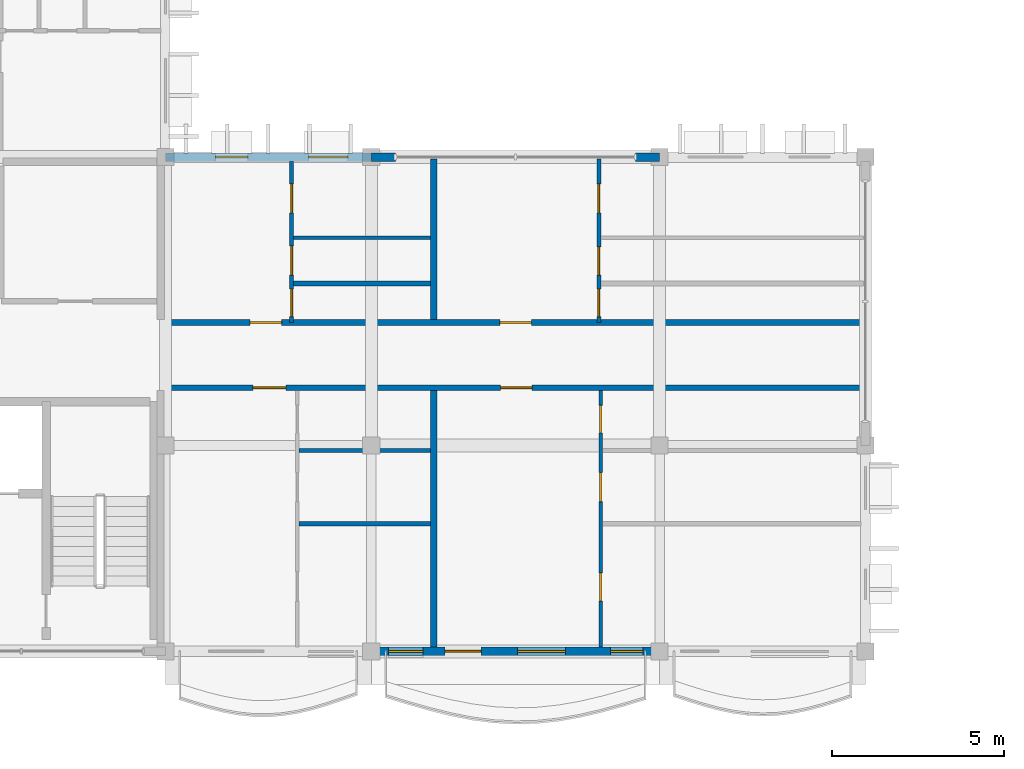
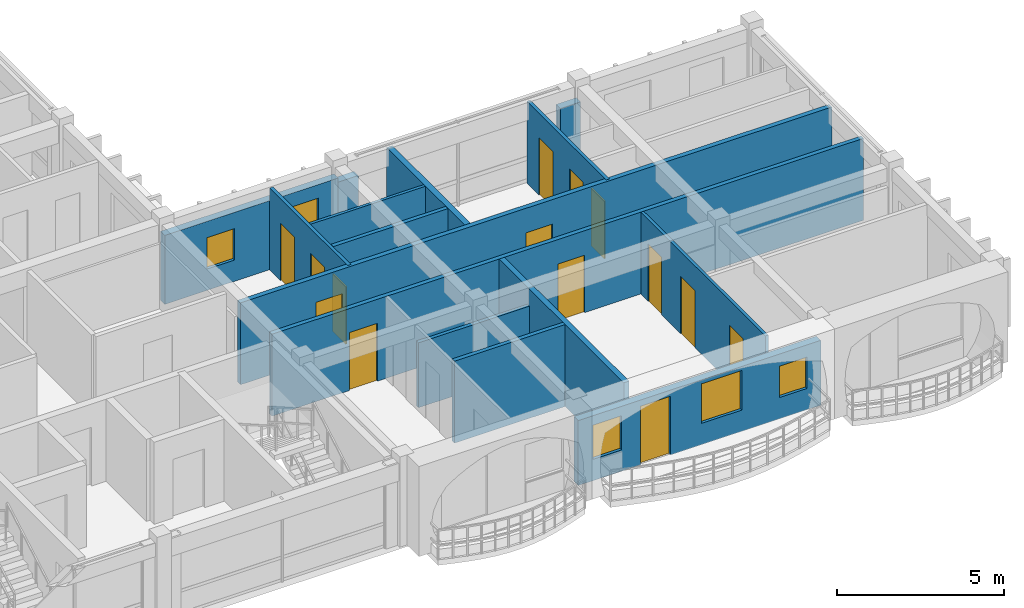
# One storey, part 21 of 54: 15 walls, 14 doors, 5 windows, 19 openings.
"""IFC4 building model written with IfcOpenShell, lengths in metres."""

from ifc_helpers import new_model, si_unit, direction, frame, frame_2d, origin, place, context, subcontext, project, spatial, rectangle, extrude, material, layer, layer_set, type_object, element, fill, save


model = new_model("IFC4")

# Units and contexts
model_context = context("Model", 3, precision=1e-05, world=origin(), true_north=direction((0.0, 1.0)))
body_context = subcontext(model_context, "Body", "Model", "MODEL_VIEW")
ifc_project = project(units=[si_unit("LENGTHUNIT", "METRE"), si_unit("AREAUNIT", "SQUARE_METRE"), si_unit("VOLUMEUNIT", "CUBIC_METRE"), si_unit("PLANEANGLEUNIT", "RADIAN"), si_unit("MASSUNIT", "GRAM", prefix="KILO"), si_unit("THERMODYNAMICTEMPERATUREUNIT", "KELVIN")], contexts=[model_context])

# Site, building, storey
site_placement = place(None, origin())
site = spatial("IfcSite", under=ifc_project, at=site_placement, CompositionType="ELEMENT")
building_placement = place(site_placement, origin())
building = spatial("IfcBuilding", under=site, at=building_placement, Name="Thalorik Housing Commons", CompositionType="ELEMENT")
storey_placement = place(building_placement, frame((0.0, 0.0, 31.199951171875)))
storey = spatial("IfcBuildingStorey", under=building, at=storey_placement, Name="L09", CompositionType="ELEMENT", Elevation=31.199951171875)

# Wall, openings, doors
ifc_material_1 = material(Name="Masonry fire-rated corridor wall", Category="masonry")
ifc_layer_1 = layer(ifc_material_1, 0.14990234375, Name="Masonry fire-rated corridor wall", Category="masonry")
ifc_layer_set_1 = layer_set([ifc_layer_1], Name="Masonry fire-rated corridor wall")
wall_type_1 = type_object("IfcWallType", Name="ARC-WAL-CORR-150", PredefinedType="PARTITIONING", material=ifc_layer_set_1)
wall_1_placement = place(storey_placement, frame((22.659912109375, 16.080078125, 0.0), z_axis=(0.0, 0.0, 1.0), x_axis=(1.0, 0.0, 0.0)))
wall_1 = element("IfcWall", 1, at=wall_1_placement, inside=storey, type_object=wall_type_1, Name="L09 Block C S Corridor Wall 1", PredefinedType="PARTITIONING", context=body_context, shape_type="SweptSolid", body=[
    extrude(rectangle(XDim=20.47998046875, YDim=0.14990234375, at=frame_2d((10.239990234375, 0.0))), origin(), (0.0, 0.0, 1.0), 3.0),
])
opening_1_placement = place(wall_1_placement, frame((2.69140625, 0.0, 0.0)))
opening_1 = element("IfcOpeningElement", 2, at=opening_1_placement, cuts=wall_1, Name="Opening ID-1950", PredefinedType="OPENING", context=body_context, shape_type="SweptSolid", body=[
    extrude(rectangle(XDim=0.9599609375, YDim=2.1201171875, at=frame_2d((0.47998046875, 1.06005859375))), frame((0.0, 0.0849609375, 0.0), z_axis=(0.0, -1.0, 0.0), x_axis=(1.0, 0.0, 0.0)), (0.0, 0.0, 1.0), 0.169921875),
])
opening_2_placement = place(wall_1_placement, frame((9.909912109375, 0.0, 0.0)))
opening_2 = element("IfcOpeningElement", 3, at=opening_2_placement, cuts=wall_1, Name="Opening ID-1951", PredefinedType="OPENING", context=body_context, shape_type="SweptSolid", body=[
    extrude(rectangle(XDim=0.919921875, YDim=2.10009765625, at=frame_2d((0.4599609375, 1.050048828125))), frame((0.0, 0.0849609375, 0.0), z_axis=(0.0, -1.0, 0.0), x_axis=(1.0, 0.0, 0.0)), (0.0, 0.0, 1.0), 0.169921875),
])
ifc_material_2 = material(Name="Solid core hardwood timber", Category="wood")
door_type_1 = type_object("IfcDoorType", Name="ARC-DR-FD30-920", OperationType="NOTDEFINED", PredefinedType="DOOR", material=ifc_material_2)
door_1_placement = place(opening_2_placement, origin())
door_1 = element("IfcDoor", 4, at=door_1_placement, inside=storey, type_object=door_type_1, Name="L09 Flat CS-2A Entrance Door", OperationType="SINGLE_SWING_RIGHT", OverallHeight=2.10009765625, OverallWidth=0.919921875, PredefinedType="DOOR", context=body_context, shape_type="SweptSolid", body=[
    extrude(rectangle(XDim=0.919921875, YDim=2.10009765625, at=frame_2d((0.4599609375, 1.050048828125))), frame((0.0, 0.02490234375, 0.0), z_axis=(0.0, -1.0, 0.0), x_axis=(1.0, 0.0, 0.0)), (0.0, 0.0, 1.0), 0.050048828125),
])
fill(opening_2, door_1)
door_type_2 = type_object("IfcDoorType", Name="ARC-DR-FD30-960", OperationType="NOTDEFINED", PredefinedType="DOOR", material=ifc_material_2)
door_2_placement = place(opening_1_placement, origin())
door_2 = element("IfcDoor", 5, at=door_2_placement, inside=storey, type_object=door_type_2, Name="L09 Flat CS-1A Entrance Door", OperationType="SINGLE_SWING_LEFT", OverallHeight=2.1201171875, OverallWidth=0.9599609375, PredefinedType="DOOR", context=body_context, shape_type="SweptSolid", body=[
    extrude(rectangle(XDim=0.9599609375, YDim=2.1201171875, at=frame_2d((0.47998046875, 1.06005859375))), frame((0.0, 0.02490234375, 0.0), z_axis=(0.0, -1.0, 0.0), x_axis=(1.0, 0.0, 0.0)), (0.0, 0.0, 1.0), 0.050048828125),
])
fill(opening_1, door_2)

ifc_layer_2 = layer(ifc_material_1, 0.1650390625, Name="Masonry fire-rated corridor wall", Category="masonry")
ifc_layer_set_2 = layer_set([ifc_layer_2], Name="Masonry fire-rated corridor wall")
wall_type_2 = type_object("IfcWallType", Name="ARC-WAL-CORR-165", PredefinedType="PARTITIONING", material=ifc_layer_set_2)
wall_2_placement = place(storey_placement, frame((22.659912109375, 17.97998046875, 0.0), z_axis=(0.0, 0.0, 1.0), x_axis=(1.0, 0.0, 0.0)))
wall_2 = element("IfcWall", 6, at=wall_2_placement, inside=storey, type_object=wall_type_2, Name="L09 Block C S Corridor Wall 2", PredefinedType="PARTITIONING", context=body_context, shape_type="SweptSolid", body=[
    extrude(rectangle(XDim=20.47998046875, YDim=0.1650390625, at=frame_2d((10.239990234375, 0.0))), origin(), (0.0, 0.0, 1.0), 3.0),
])
opening_3_placement = place(wall_2_placement, frame((2.61083984375, 0.0, 0.0)))
opening_3 = element("IfcOpeningElement", 7, at=opening_3_placement, cuts=wall_2, Name="Opening ID-1952", PredefinedType="OPENING", context=body_context, shape_type="SweptSolid", body=[
    extrude(rectangle(XDim=0.919921875, YDim=2.10009765625, at=frame_2d((0.4599609375, 1.050048828125))), frame((0.0, 0.092529296875, 0.0), z_axis=(0.0, -1.0, 0.0), x_axis=(1.0, 0.0, 0.0)), (0.0, 0.0, 1.0), 0.18505859375),
])
opening_4_placement = place(wall_2_placement, frame((9.884765625, 0.0, 0.0)))
opening_4 = element("IfcOpeningElement", 8, at=opening_4_placement, cuts=wall_2, Name="Opening ID-1953", PredefinedType="OPENING", context=body_context, shape_type="SweptSolid", body=[
    extrude(rectangle(XDim=0.919921875, YDim=2.10009765625, at=frame_2d((0.4599609375, 1.050048828125))), frame((0.0, 0.092529296875, 0.0), z_axis=(0.0, -1.0, 0.0), x_axis=(1.0, 0.0, 0.0)), (0.0, 0.0, 1.0), 0.18505859375),
])
door_3_placement = place(opening_3_placement, origin())
door_3 = element("IfcDoor", 9, at=door_3_placement, inside=storey, type_object=door_type_1, Name="L09 Flat CS-1B Entrance Door", OperationType="SINGLE_SWING_LEFT", OverallHeight=2.10009765625, OverallWidth=0.919921875, PredefinedType="DOOR", context=body_context, shape_type="SweptSolid", body=[
    extrude(rectangle(XDim=0.919921875, YDim=2.10009765625, at=frame_2d((0.4599609375, 1.050048828125))), frame((0.0, 0.02490234375, 0.0), z_axis=(0.0, -1.0, 0.0), x_axis=(1.0, 0.0, 0.0)), (0.0, 0.0, 1.0), 0.050048828125),
])
fill(opening_3, door_3)
door_4_placement = place(opening_4_placement, origin())
door_4 = element("IfcDoor", 10, at=door_4_placement, inside=storey, type_object=door_type_1, Name="L09 Flat CS-2B Entrance Door", OperationType="SINGLE_SWING_RIGHT", OverallHeight=2.10009765625, OverallWidth=0.919921875, PredefinedType="DOOR", context=body_context, shape_type="SweptSolid", body=[
    extrude(rectangle(XDim=0.919921875, YDim=2.10009765625, at=frame_2d((0.4599609375, 1.050048828125))), frame((0.0, 0.02490234375, 0.0), z_axis=(0.0, -1.0, 0.0), x_axis=(1.0, 0.0, 0.0)), (0.0, 0.0, 1.0), 0.050048828125),
])
fill(opening_4, door_4)

# Wall, openings, door, windows
ifc_material_3 = material(Name="White precast concrete C40/50", Category="concrete")
ifc_layer_3 = layer(ifc_material_3, 0.2548828125, Name="White precast concrete C40/50", Category="concrete")
ifc_layer_set_3 = layer_set([ifc_layer_3], Name="White precast concrete C40/50")
wall_type_3 = type_object("IfcWallType", Name="ARC-WAL-EXT-255", PredefinedType="STANDARD", material=ifc_layer_set_3)
wall_3_placement = place(storey_placement, frame((28.800048828125, 8.39990234375, 0.0), z_axis=(0.0, 0.0, 1.0), x_axis=(1.0, 0.0, 0.0)))
wall_3 = element("IfcWall", 11, at=wall_3_placement, inside=storey, type_object=wall_type_3, Name="L09 Exterior Wall WAL-EXT-L09-C-1078", PredefinedType="STANDARD", context=body_context, shape_type="SweptSolid", body=[
    extrude(rectangle(XDim=8.39990234375, YDim=0.2548828125, at=frame_2d((4.199951171875, 0.0))), origin(), (0.0, 0.0, 1.0), 2.375),
])
opening_5_placement = place(wall_3_placement, frame((2.14990234375, 0.0, 0.0)))
opening_5 = element("IfcOpeningElement", 12, at=opening_5_placement, cuts=wall_3, Name="Opening ED-0362", PredefinedType="OPENING", context=body_context, shape_type="SweptSolid", body=[
    extrude(rectangle(XDim=1.050048828125, YDim=2.14990234375, at=frame_2d((0.52490234375, 1.074951171875))), frame((0.0, 0.137451171875, 0.0), z_axis=(0.0, -1.0, 0.0), x_axis=(1.0, 0.0, 0.0)), (0.0, 0.0, 1.0), 0.27490234375),
])
opening_6_placement = place(wall_3_placement, frame((0.5048828125, 0.0, 0.780029296875)))
opening_6 = element("IfcOpeningElement", 13, at=opening_6_placement, cuts=wall_3, Name="Opening W-02", PredefinedType="OPENING", context=body_context, shape_type="SweptSolid", body=[
    extrude(rectangle(XDim=1.0, YDim=1.25, at=frame_2d((0.5, 0.625))), frame((0.0, 0.137451171875, 0.0), z_axis=(0.0, -1.0, 0.0), x_axis=(1.0, 0.0, 0.0)), (0.0, 0.0, 1.0), 0.27490234375),
])
opening_7_placement = place(wall_3_placement, frame((4.264892578125, 0.0, 0.780029296875)))
opening_7 = element("IfcOpeningElement", 14, at=opening_7_placement, cuts=wall_3, Name="Opening W-08", PredefinedType="OPENING", context=body_context, shape_type="SweptSolid", body=[
    extrude(rectangle(XDim=1.39990234375, YDim=1.449951171875, at=frame_2d((0.699951171875, 0.72509765625))), frame((0.0, 0.137451171875, 0.0), z_axis=(0.0, -1.0, 0.0), x_axis=(1.0, 0.0, 0.0)), (0.0, 0.0, 1.0), 0.27490234375),
])
opening_8_placement = place(wall_3_placement, frame((6.969970703125, 0.0, 0.780029296875)))
opening_8 = element("IfcOpeningElement", 15, at=opening_8_placement, cuts=wall_3, Name="Opening W-43", PredefinedType="OPENING", context=body_context, shape_type="SweptSolid", body=[
    extrude(rectangle(XDim=0.949951171875, YDim=1.14990234375, at=frame_2d((0.47509765625, 0.574951171875))), frame((0.0, 0.137451171875, 0.0), z_axis=(0.0, -1.0, 0.0), x_axis=(1.0, 0.0, 0.0)), (0.0, 0.0, 1.0), 0.27490234375),
])
ifc_material_4 = material(Name="Anodised aluminium and laminated safety glass", Category="aluminium")
door_type_3 = type_object("IfcDoorType", Name="ARC-DR-BAL-1050", OperationType="NOTDEFINED", PredefinedType="DOOR", material=ifc_material_4)
door_5_placement = place(opening_5_placement, frame((1.050048828125, 0.0, 0.0), z_axis=(0.0, 0.0, 1.0), x_axis=(-1.0, 0.0, 0.0)))
door_5 = element("IfcDoor", 16, at=door_5_placement, inside=storey, type_object=door_type_3, Name="L09 Block C Balcony Glazed Door", OperationType="SINGLE_SWING_LEFT", OverallHeight=2.14990234375, OverallWidth=1.050048828125, PredefinedType="DOOR", context=body_context, shape_type="SweptSolid", body=[
    extrude(rectangle(XDim=1.050048828125, YDim=2.14990234375, at=frame_2d((0.52490234375, 1.074951171875))), frame((0.0, 0.02490234375, 0.0), z_axis=(0.0, -1.0, 0.0), x_axis=(1.0, 0.0, 0.0)), (0.0, 0.0, 1.0), 0.050048828125),
])
fill(opening_5, door_5)
ifc_material_5 = material(Name="Anodised aluminium and solar-control low-E glass", Category="aluminium")
window_type_1 = type_object("IfcWindowType", Name="ARC-WIN-02", PartitioningType="SINGLE_PANEL", PredefinedType="WINDOW", material=ifc_material_5)
window_1_placement = place(opening_6_placement, origin())
window_1 = element("IfcWindow", 17, at=window_1_placement, inside=storey, type_object=window_type_1, Name="L09 Facade Window 1986", OverallHeight=1.25, OverallWidth=1.0, PartitioningType="SINGLE_PANEL", PredefinedType="WINDOW", context=body_context, shape_type="SweptSolid", body=[
    extrude(rectangle(XDim=1.0, YDim=1.25, at=frame_2d((0.5, 0.625))), frame((0.0, 0.030029296875, 0.0), z_axis=(0.0, -1.0, 0.0), x_axis=(1.0, 0.0, 0.0)), (0.0, 0.0, 1.0), 0.06005859375),
])
fill(opening_6, window_1)
window_type_2 = type_object("IfcWindowType", Name="ARC-WIN-08", PartitioningType="SINGLE_PANEL", PredefinedType="WINDOW", material=ifc_material_5)
window_2_placement = place(opening_7_placement, origin())
window_2 = element("IfcWindow", 18, at=window_2_placement, inside=storey, type_object=window_type_2, Name="L09 Facade Window 1987", OverallHeight=1.449951171875, OverallWidth=1.39990234375, PartitioningType="SINGLE_PANEL", PredefinedType="WINDOW", context=body_context, shape_type="SweptSolid", body=[
    extrude(rectangle(XDim=1.39990234375, YDim=1.449951171875, at=frame_2d((0.699951171875, 0.72509765625))), frame((0.0, 0.030029296875, 0.0), z_axis=(0.0, -1.0, 0.0), x_axis=(1.0, 0.0, 0.0)), (0.0, 0.0, 1.0), 0.06005859375),
])
fill(opening_7, window_2)
window_type_3 = type_object("IfcWindowType", Name="ARC-WIN-43", PartitioningType="SINGLE_PANEL", PredefinedType="WINDOW", material=ifc_material_5)
window_3_placement = place(opening_8_placement, origin())
window_3 = element("IfcWindow", 19, at=window_3_placement, inside=storey, type_object=window_type_3, Name="L09 Facade Window 1988", OverallHeight=1.14990234375, OverallWidth=0.949951171875, PartitioningType="SINGLE_PANEL", PredefinedType="WINDOW", context=body_context, shape_type="SweptSolid", body=[
    extrude(rectangle(XDim=0.949951171875, YDim=1.14990234375, at=frame_2d((0.47509765625, 0.574951171875))), frame((0.0, 0.030029296875, 0.0), z_axis=(0.0, -1.0, 0.0), x_axis=(1.0, 0.0, 0.0)), (0.0, 0.0, 1.0), 0.06005859375),
])
fill(opening_8, window_3)

# Walls
for number, where, z_axis, x_axis, name in (
    (20, (37.199951171875, 22.800048828125, 0.0), (0.0, 0.0, 1.0), (-1.0, 0.0, 0.0), "L09 Exterior Wall WAL-PIERL-L09-C-1083"),
    (21, (29.5, 22.800048828125, 0.0), (0.0, 0.0, 1.0), (-1.0, 0.0, 0.0), "L09 Exterior Wall WAL-PIERR-L09-C-1083"),
):
    element("IfcWall", number, at=place(storey_placement, frame(where, z_axis=z_axis, x_axis=x_axis)), inside=storey, type_object=wall_type_3, Name=name, PredefinedType="STANDARD", context=body_context, shape_type="SweptSolid", body=[
        extrude(rectangle(XDim=0.699951171875, YDim=0.2548828125, at=frame_2d((0.35009765625, 0.0))), origin(), (0.0, 0.0, 1.0), 2.375),
    ])

# Wall, openings, windows
wall_4_placement = place(storey_placement, frame((28.800048828125, 22.800048828125, 0.0), z_axis=(0.0, 0.0, 1.0), x_axis=(-1.0, 0.0, 0.0)))
wall_4 = element("IfcWall", 22, at=wall_4_placement, inside=storey, type_object=wall_type_3, Name="L09 Exterior Wall WAL-EXT-L09-C-1084", PredefinedType="STANDARD", context=body_context, shape_type="SweptSolid", body=[
    extrude(rectangle(XDim=6.0, YDim=0.2548828125, at=frame_2d((3.0, 0.0))), origin(), (0.0, 0.0, 1.0), 2.525146484375),
])
opening_9_placement = place(wall_4_placement, frame((0.6796875, 0.0, 0.780029296875)))
opening_9 = element("IfcOpeningElement", 23, at=opening_9_placement, cuts=wall_4, Name="Opening W-45", PredefinedType="OPENING", context=body_context, shape_type="SweptSolid", body=[
    extrude(rectangle(XDim=1.14990234375, YDim=1.25, at=frame_2d((0.574951171875, 0.625))), frame((0.0, 0.137451171875, 0.0), z_axis=(0.0, -1.0, 0.0), x_axis=(1.0, 0.0, 0.0)), (0.0, 0.0, 1.0), 0.27490234375),
])
opening_10_placement = place(wall_4_placement, frame((3.589599609375, 0.0, 0.780029296875)))
opening_10 = element("IfcOpeningElement", 24, at=opening_10_placement, cuts=wall_4, Name="Opening W-43", PredefinedType="OPENING", context=body_context, shape_type="SweptSolid", body=[
    extrude(rectangle(XDim=0.949951171875, YDim=1.14990234375, at=frame_2d((0.47509765625, 0.574951171875))), frame((0.0, 0.137451171875, 0.0), z_axis=(0.0, -1.0, 0.0), x_axis=(1.0, 0.0, 0.0)), (0.0, 0.0, 1.0), 0.27490234375),
])
window_4_placement = place(opening_10_placement, origin())
window_4 = element("IfcWindow", 25, at=window_4_placement, inside=storey, type_object=window_type_3, Name="L09 Facade Window 1995", OverallHeight=1.14990234375, OverallWidth=0.949951171875, PartitioningType="SINGLE_PANEL", PredefinedType="WINDOW", context=body_context, shape_type="SweptSolid", body=[
    extrude(rectangle(XDim=0.949951171875, YDim=1.14990234375, at=frame_2d((0.47509765625, 0.574951171875))), frame((0.0, 0.030029296875, 0.0), z_axis=(0.0, -1.0, 0.0), x_axis=(1.0, 0.0, 0.0)), (0.0, 0.0, 1.0), 0.06005859375),
])
fill(opening_10, window_4)
window_type_4 = type_object("IfcWindowType", Name="ARC-WIN-45", PartitioningType="SINGLE_PANEL", PredefinedType="WINDOW", material=ifc_material_5)
window_5_placement = place(opening_9_placement, origin())
window_5 = element("IfcWindow", 26, at=window_5_placement, inside=storey, type_object=window_type_4, Name="L09 Facade Window 1994", OverallHeight=1.25, OverallWidth=1.14990234375, PartitioningType="SINGLE_PANEL", PredefinedType="WINDOW", context=body_context, shape_type="SweptSolid", body=[
    extrude(rectangle(XDim=1.14990234375, YDim=1.25, at=frame_2d((0.574951171875, 0.625))), frame((0.0, 0.030029296875, 0.0), z_axis=(0.0, -1.0, 0.0), x_axis=(1.0, 0.0, 0.0)), (0.0, 0.0, 1.0), 0.06005859375),
])
fill(opening_9, window_5)

# Wall
ifc_material_6 = material(Name="Gypsum light stud partition", Category="masonry")
ifc_layer_4 = layer(ifc_material_6, 0.10009765625, Name="Gypsum light stud partition", Category="masonry")
ifc_layer_set_4 = layer_set([ifc_layer_4], Name="Gypsum light stud partition")
wall_type_4 = type_object("IfcWallType", Name="ARC-WAL-PART-100", PredefinedType="PARTITIONING", material=ifc_layer_set_4)
wall_5_placement = place(storey_placement, frame((26.540283203125, 20.455078125, 0.0), z_axis=(0.0, 0.0, 1.0), x_axis=(1.0, 0.0, 0.0)))
element("IfcWall", 27, at=wall_5_placement, inside=storey, type_object=wall_type_4, Name="L09 Unit 1B Bedroom Partition", PredefinedType="PARTITIONING", context=body_context, shape_type="SweptSolid", body=[
    extrude(rectangle(XDim=3.977783203125, YDim=0.10009765625, at=frame_2d((1.98876953125, 0.0))), origin(), (0.0, 0.0, 1.0), 3.0),
])

# Wall, openings, doors
wall_6_placement = place(storey_placement, frame((35.47998046875, 8.529541015625, 0.0), z_axis=(0.0, 0.0, 1.0), x_axis=(0.0, 1.0, 0.0)))
wall_6 = element("IfcWall", 28, at=wall_6_placement, inside=storey, type_object=wall_type_4, Name="L09 Unit 2 Spine Partition", PredefinedType="PARTITIONING", context=body_context, shape_type="SweptSolid", body=[
    extrude(rectangle(XDim=7.473388671875, YDim=0.10009765625, at=frame_2d((3.73681640625, 0.0))), origin(), (0.0, 0.0, 1.0), 3.0),
])
opening_11_placement = place(wall_6_placement, frame((1.334228515625, 0.0, 0.0)))
opening_11 = element("IfcOpeningElement", 29, at=opening_11_placement, cuts=wall_6, Name="Opening ID-1944", PredefinedType="OPENING", context=body_context, shape_type="SweptSolid", body=[
    extrude(rectangle(XDim=0.820068359375, YDim=2.080078125, at=frame_2d((0.41015625, 1.0400390625))), frame((0.0, 0.06005859375, 0.0), z_axis=(0.0, -1.0, 0.0), x_axis=(1.0, 0.0, 0.0)), (0.0, 0.0, 1.0), 0.1201171875),
])
opening_12_placement = place(wall_6_placement, frame((4.22998046875, 0.0, 0.0)))
opening_12 = element("IfcOpeningElement", 30, at=opening_12_placement, cuts=wall_6, Name="Opening ID-1945", PredefinedType="OPENING", context=body_context, shape_type="SweptSolid", body=[
    extrude(rectangle(XDim=0.85009765625, YDim=2.10009765625, at=frame_2d((0.425048828125, 1.050048828125))), frame((0.0, 0.06005859375, 0.0), z_axis=(0.0, -1.0, 0.0), x_axis=(1.0, 0.0, 0.0)), (0.0, 0.0, 1.0), 0.1201171875),
])
opening_13_placement = place(wall_6_placement, frame((6.236083984375, 0.0, 0.0)))
opening_13 = element("IfcOpeningElement", 31, at=opening_13_placement, cuts=wall_6, Name="Opening ID-1946", PredefinedType="OPENING", context=body_context, shape_type="SweptSolid", body=[
    extrude(rectangle(XDim=0.800048828125, YDim=2.10009765625, at=frame_2d((0.39990234375, 1.050048828125))), frame((0.0, 0.06005859375, 0.0), z_axis=(0.0, -1.0, 0.0), x_axis=(1.0, 0.0, 0.0)), (0.0, 0.0, 1.0), 0.1201171875),
])
ifc_material_7 = material(Name="Moisture-resistant timber", Category="wood")
door_type_4 = type_object("IfcDoorType", Name="ARC-DR-INT-800", OperationType="NOTDEFINED", PredefinedType="DOOR", material=ifc_material_7)
door_6_placement = place(opening_13_placement, origin())
door_6 = element("IfcDoor", 32, at=door_6_placement, inside=storey, type_object=door_type_4, Name="L09 Flat Bathroom Door", OperationType="SINGLE_SWING_LEFT", OverallHeight=2.10009765625, OverallWidth=0.800048828125, PredefinedType="DOOR", context=body_context, shape_type="SweptSolid", body=[
    extrude(rectangle(XDim=0.800048828125, YDim=2.10009765625, at=frame_2d((0.39990234375, 1.050048828125))), frame((0.0, 0.02490234375, 0.0), z_axis=(0.0, -1.0, 0.0), x_axis=(1.0, 0.0, 0.0)), (0.0, 0.0, 1.0), 0.050048828125),
])
fill(opening_13, door_6)
ifc_material_8 = material(Name="Engineered oak timber", Category="wood")
door_type_5 = type_object("IfcDoorType", Name="ARC-DR-INT-820", OperationType="NOTDEFINED", PredefinedType="DOOR", material=ifc_material_8)
door_7_placement = place(opening_11_placement, origin())
door_7 = element("IfcDoor", 33, at=door_7_placement, inside=storey, type_object=door_type_5, Name="L09 Double Bedroom Door", OperationType="SINGLE_SWING_LEFT", OverallHeight=2.080078125, OverallWidth=0.820068359375, PredefinedType="DOOR", context=body_context, shape_type="SweptSolid", body=[
    extrude(rectangle(XDim=0.820068359375, YDim=2.080078125, at=frame_2d((0.41015625, 1.0400390625))), frame((0.0, 0.02490234375, 0.0), z_axis=(0.0, -1.0, 0.0), x_axis=(1.0, 0.0, 0.0)), (0.0, 0.0, 1.0), 0.050048828125),
])
fill(opening_11, door_7)
door_type_6 = type_object("IfcDoorType", Name="ARC-DR-INT-850", OperationType="NOTDEFINED", PredefinedType="DOOR", material=ifc_material_8)
door_8_placement = place(opening_12_placement, origin())
door_8 = element("IfcDoor", 34, at=door_8_placement, inside=storey, type_object=door_type_6, Name="L09 Galley Kitchen Door", OperationType="SINGLE_SWING_RIGHT", OverallHeight=2.10009765625, OverallWidth=0.85009765625, PredefinedType="DOOR", context=body_context, shape_type="SweptSolid", body=[
    extrude(rectangle(XDim=0.85009765625, YDim=2.10009765625, at=frame_2d((0.425048828125, 1.050048828125))), frame((0.0, 0.02490234375, 0.0), z_axis=(0.0, -1.0, 0.0), x_axis=(1.0, 0.0, 0.0)), (0.0, 0.0, 1.0), 0.050048828125),
])
fill(opening_12, door_8)

ifc_material_9 = material(Name="Gypsum moisture-resistant partition", Category="masonry")
ifc_layer_5 = layer(ifc_material_9, 0.114990234375, Name="Gypsum moisture-resistant partition", Category="masonry")
ifc_layer_set_5 = layer_set([ifc_layer_5], Name="Gypsum moisture-resistant partition")
wall_type_5 = type_object("IfcWallType", Name="ARC-WAL-PART-115", PredefinedType="PARTITIONING", material=ifc_layer_set_5)
wall_7_placement = place(storey_placement, frame((26.480712890625, 17.97998046875, 0.0), z_axis=(0.0, 0.0, 1.0), x_axis=(0.0, 1.0, 0.0)))
wall_7 = element("IfcWall", 35, at=wall_7_placement, inside=storey, type_object=wall_type_5, Name="L09 Unit 1B Spine Partition", PredefinedType="PARTITIONING", context=body_context, shape_type="SweptSolid", body=[
    extrude(rectangle(XDim=4.6904296875, YDim=0.114990234375, at=frame_2d((2.34521484375, 0.0))), origin(), (0.0, 0.0, 1.0), 3.0),
])
opening_14_placement = place(wall_7_placement, frame((0.171142578125, 0.0, 0.0)))
opening_14 = element("IfcOpeningElement", 36, at=opening_14_placement, cuts=wall_7, Name="Opening ID-1941", PredefinedType="OPENING", context=body_context, shape_type="SweptSolid", body=[
    extrude(rectangle(XDim=0.800048828125, YDim=2.10009765625, at=frame_2d((0.39990234375, 1.050048828125))), frame((0.0, 0.0673828125, 0.0), z_axis=(0.0, -1.0, 0.0), x_axis=(1.0, 0.0, 0.0)), (0.0, 0.0, 1.0), 0.135009765625),
])
opening_15_placement = place(wall_7_placement, frame((1.3837890625, 0.0, 0.0)))
opening_15 = element("IfcOpeningElement", 37, at=opening_15_placement, cuts=wall_7, Name="Opening ID-1942", PredefinedType="OPENING", context=body_context, shape_type="SweptSolid", body=[
    extrude(rectangle(XDim=0.85009765625, YDim=2.10009765625, at=frame_2d((0.425048828125, 1.050048828125))), frame((0.0, 0.0673828125, 0.0), z_axis=(0.0, -1.0, 0.0), x_axis=(1.0, 0.0, 0.0)), (0.0, 0.0, 1.0), 0.135009765625),
])
opening_16_placement = place(wall_7_placement, frame((3.192626953125, 0.0, 0.0)))
opening_16 = element("IfcOpeningElement", 38, at=opening_16_placement, cuts=wall_7, Name="Opening ID-1943", PredefinedType="OPENING", context=body_context, shape_type="SweptSolid", body=[
    extrude(rectangle(XDim=0.85009765625, YDim=2.10009765625, at=frame_2d((0.425048828125, 1.050048828125))), frame((0.0, 0.0673828125, 0.0), z_axis=(0.0, -1.0, 0.0), x_axis=(1.0, 0.0, 0.0)), (0.0, 0.0, 1.0), 0.135009765625),
])
door_9_placement = place(opening_14_placement, origin())
door_9 = element("IfcDoor", 39, at=door_9_placement, inside=storey, type_object=door_type_4, Name="L09 Accessible Bathroom Door", OperationType="SINGLE_SWING_RIGHT", OverallHeight=2.10009765625, OverallWidth=0.800048828125, PredefinedType="DOOR", context=body_context, shape_type="SweptSolid", body=[
    extrude(rectangle(XDim=0.800048828125, YDim=2.10009765625, at=frame_2d((0.39990234375, 1.050048828125))), frame((0.0, 0.02490234375, 0.0), z_axis=(0.0, -1.0, 0.0), x_axis=(1.0, 0.0, 0.0)), (0.0, 0.0, 1.0), 0.050048828125),
])
fill(opening_14, door_9)
door_10_placement = place(opening_15_placement, origin())
door_10 = element("IfcDoor", 40, at=door_10_placement, inside=storey, type_object=door_type_6, Name="L09 Eat-In Kitchen Door", OperationType="SINGLE_SWING_LEFT", OverallHeight=2.10009765625, OverallWidth=0.85009765625, PredefinedType="DOOR", context=body_context, shape_type="SweptSolid", body=[
    extrude(rectangle(XDim=0.85009765625, YDim=2.10009765625, at=frame_2d((0.425048828125, 1.050048828125))), frame((0.0, 0.02490234375, 0.0), z_axis=(0.0, -1.0, 0.0), x_axis=(1.0, 0.0, 0.0)), (0.0, 0.0, 1.0), 0.050048828125),
])
fill(opening_15, door_10)
door_11_placement = place(opening_16_placement, origin())
door_11 = element("IfcDoor", 41, at=door_11_placement, inside=storey, type_object=door_type_6, Name="L09 Double Bedroom Door", OperationType="SINGLE_SWING_RIGHT", OverallHeight=2.10009765625, OverallWidth=0.85009765625, PredefinedType="DOOR", context=body_context, shape_type="SweptSolid", body=[
    extrude(rectangle(XDim=0.85009765625, YDim=2.10009765625, at=frame_2d((0.425048828125, 1.050048828125))), frame((0.0, 0.02490234375, 0.0), z_axis=(0.0, -1.0, 0.0), x_axis=(1.0, 0.0, 0.0)), (0.0, 0.0, 1.0), 0.050048828125),
])
fill(opening_16, door_11)

wall_8_placement = place(storey_placement, frame((35.4296875, 17.97998046875, 0.0), z_axis=(0.0, 0.0, 1.0), x_axis=(0.0, 1.0, 0.0)))
wall_8 = element("IfcWall", 42, at=wall_8_placement, inside=storey, type_object=wall_type_5, Name="L09 Unit 2B Spine Partition", PredefinedType="PARTITIONING", context=body_context, shape_type="SweptSolid", body=[
    extrude(rectangle(XDim=4.760009765625, YDim=0.114990234375, at=frame_2d((2.3798828125, 0.0))), origin(), (0.0, 0.0, 1.0), 3.0),
])
opening_17_placement = place(wall_8_placement, frame((0.171142578125, 0.0, 0.0)))
opening_17 = element("IfcOpeningElement", 43, at=opening_17_placement, cuts=wall_8, Name="Opening ID-1947", PredefinedType="OPENING", context=body_context, shape_type="SweptSolid", body=[
    extrude(rectangle(XDim=0.800048828125, YDim=2.10009765625, at=frame_2d((0.39990234375, 1.050048828125))), frame((0.0, 0.0673828125, 0.0), z_axis=(0.0, -1.0, 0.0), x_axis=(1.0, 0.0, 0.0)), (0.0, 0.0, 1.0), 0.135009765625),
])
opening_18_placement = place(wall_8_placement, frame((1.3837890625, 0.0, 0.0)))
opening_18 = element("IfcOpeningElement", 44, at=opening_18_placement, cuts=wall_8, Name="Opening ID-1948", PredefinedType="OPENING", context=body_context, shape_type="SweptSolid", body=[
    extrude(rectangle(XDim=0.820068359375, YDim=2.080078125, at=frame_2d((0.41015625, 1.0400390625))), frame((0.0, 0.0673828125, 0.0), z_axis=(0.0, -1.0, 0.0), x_axis=(1.0, 0.0, 0.0)), (0.0, 0.0, 1.0), 0.135009765625),
])
opening_19_placement = place(wall_8_placement, frame((3.192626953125, 0.0, 0.0)))
opening_19 = element("IfcOpeningElement", 45, at=opening_19_placement, cuts=wall_8, Name="Opening ID-1949", PredefinedType="OPENING", context=body_context, shape_type="SweptSolid", body=[
    extrude(rectangle(XDim=0.85009765625, YDim=2.10009765625, at=frame_2d((0.425048828125, 1.050048828125))), frame((0.0, 0.0673828125, 0.0), z_axis=(0.0, -1.0, 0.0), x_axis=(1.0, 0.0, 0.0)), (0.0, 0.0, 1.0), 0.135009765625),
])
door_12_placement = place(opening_17_placement, origin())
door_12 = element("IfcDoor", 46, at=door_12_placement, inside=storey, type_object=door_type_4, Name="L09 Accessible Bathroom Door", OperationType="SINGLE_SWING_RIGHT", OverallHeight=2.10009765625, OverallWidth=0.800048828125, PredefinedType="DOOR", context=body_context, shape_type="SweptSolid", body=[
    extrude(rectangle(XDim=0.800048828125, YDim=2.10009765625, at=frame_2d((0.39990234375, 1.050048828125))), frame((0.0, 0.02490234375, 0.0), z_axis=(0.0, -1.0, 0.0), x_axis=(1.0, 0.0, 0.0)), (0.0, 0.0, 1.0), 0.050048828125),
])
fill(opening_17, door_12)
door_13_placement = place(opening_18_placement, origin())
door_13 = element("IfcDoor", 47, at=door_13_placement, inside=storey, type_object=door_type_5, Name="L09 Eat-In Kitchen Door", OperationType="SINGLE_SWING_LEFT", OverallHeight=2.080078125, OverallWidth=0.820068359375, PredefinedType="DOOR", context=body_context, shape_type="SweptSolid", body=[
    extrude(rectangle(XDim=0.820068359375, YDim=2.080078125, at=frame_2d((0.41015625, 1.0400390625))), frame((0.0, 0.02490234375, 0.0), z_axis=(0.0, -1.0, 0.0), x_axis=(1.0, 0.0, 0.0)), (0.0, 0.0, 1.0), 0.050048828125),
])
fill(opening_18, door_13)
door_14_placement = place(opening_19_placement, origin())
door_14 = element("IfcDoor", 48, at=door_14_placement, inside=storey, type_object=door_type_6, Name="L09 Master Bedroom Door", OperationType="SINGLE_SWING_RIGHT", OverallHeight=2.10009765625, OverallWidth=0.85009765625, PredefinedType="DOOR", context=body_context, shape_type="SweptSolid", body=[
    extrude(rectangle(XDim=0.85009765625, YDim=2.10009765625, at=frame_2d((0.425048828125, 1.050048828125))), frame((0.0, 0.02490234375, 0.0), z_axis=(0.0, -1.0, 0.0), x_axis=(1.0, 0.0, 0.0)), (0.0, 0.0, 1.0), 0.050048828125),
])
fill(opening_19, door_14)

# Walls
ifc_material_10 = material(Name="Gypsum acoustic stud partition", Category="masonry")
ifc_layer_6 = layer(ifc_material_10, 0.125, Name="Gypsum acoustic stud partition", Category="masonry")
ifc_layer_set_6 = layer_set([ifc_layer_6], Name="Gypsum acoustic stud partition")
wall_type_6 = type_object("IfcWallType", Name="ARC-WAL-PART-125", PredefinedType="PARTITIONING", material=ifc_layer_set_6)
wall_9_placement = place(storey_placement, frame((26.69189453125, 14.251220703125, 0.0), z_axis=(0.0, 0.0, 1.0), x_axis=(1.0, 0.0, 0.0)))
element("IfcWall", 49, at=wall_9_placement, inside=storey, type_object=wall_type_6, Name="L09 Unit 1 Wet Wall", PredefinedType="PARTITIONING", context=body_context, shape_type="SweptSolid", body=[
    extrude(rectangle(XDim=3.83349609375, YDim=0.125, at=frame_2d((1.916748046875, 0.0))), origin(), (0.0, 0.0, 1.0), 2.375),
])
ifc_material_11 = material(Name="Ceramic masonry partition wall", Category="masonry")
ifc_layer_7 = layer(ifc_material_11, 0.139892578125, Name="Ceramic masonry partition wall", Category="masonry")
ifc_layer_set_7 = layer_set([ifc_layer_7], Name="Ceramic masonry partition wall")
wall_type_7 = type_object("IfcWallType", Name="ARC-WAL-PART-140", PredefinedType="PARTITIONING", material=ifc_layer_set_7)
wall_10_placement = place(storey_placement, frame((26.69189453125, 12.11767578125, 0.0), z_axis=(0.0, 0.0, 1.0), x_axis=(1.0, 0.0, 0.0)))
element("IfcWall", 50, at=wall_10_placement, inside=storey, type_object=wall_type_7, Name="L09 Unit 1 Bedroom Partition", PredefinedType="PARTITIONING", context=body_context, shape_type="SweptSolid", body=[
    extrude(rectangle(XDim=3.83349609375, YDim=0.139892578125, at=frame_2d((1.916748046875, 0.0))), origin(), (0.0, 0.0, 1.0), 3.0),
])
wall_11_placement = place(storey_placement, frame((26.540283203125, 19.122314453125, 0.0), z_axis=(0.0, 0.0, 1.0), x_axis=(1.0, 0.0, 0.0)))
element("IfcWall", 51, at=wall_11_placement, inside=storey, type_object=wall_type_7, Name="L09 Unit 1B Wet Wall", PredefinedType="PARTITIONING", context=body_context, shape_type="SweptSolid", body=[
    extrude(rectangle(XDim=3.977783203125, YDim=0.139892578125, at=frame_2d((1.98876953125, 0.0))), origin(), (0.0, 0.0, 1.0), 3.0),
])
ifc_material_12 = material(Name="Masonry acoustic blockwork wall", Category="masonry")
ifc_layer_8 = layer(ifc_material_12, 0.18505859375, Name="Masonry acoustic blockwork wall", Category="masonry")
ifc_layer_set_8 = layer_set([ifc_layer_8], Name="Masonry acoustic blockwork wall")
wall_type_8 = type_object("IfcWallType", Name="ARC-WAL-PARTY-185", PredefinedType="PARTITIONING", material=ifc_layer_set_8)
wall_12_placement = place(storey_placement, frame((30.6201171875, 8.529541015625, 0.0), z_axis=(0.0, 0.0, 1.0), x_axis=(0.0, 1.0, 0.0)))
element("IfcWall", 52, at=wall_12_placement, inside=storey, type_object=wall_type_8, Name="L09 Inter-Tenancy Wall 1A", PredefinedType="PARTITIONING", context=body_context, shape_type="SweptSolid", body=[
    extrude(rectangle(XDim=7.473388671875, YDim=0.18505859375, at=frame_2d((3.73681640625, 0.0))), origin(), (0.0, 0.0, 1.0), 3.0),
])
ifc_material_13 = material(Name="Precast concrete C40/50 acoustic wall", Category="concrete")
ifc_layer_9 = layer(ifc_material_13, 0.199951171875, Name="Precast concrete C40/50 acoustic wall", Category="concrete")
ifc_layer_set_9 = layer_set([ifc_layer_9], Name="Precast concrete C40/50 acoustic wall")
wall_type_9 = type_object("IfcWallType", Name="ARC-WAL-PARTY-200", PredefinedType="PARTITIONING", material=ifc_layer_set_9)
wall_13_placement = place(storey_placement, frame((30.6201171875, 18.064453125, 0.0), z_axis=(0.0, 0.0, 1.0), x_axis=(0.0, 1.0, 0.0)))
element("IfcWall", 53, at=wall_13_placement, inside=storey, type_object=wall_type_9, Name="L09 Inter-Tenancy Wall 1B", PredefinedType="PARTITIONING", context=body_context, shape_type="SweptSolid", body=[
    extrude(rectangle(XDim=4.675537109375, YDim=0.199951171875, at=frame_2d((2.337890625, 0.0))), origin(), (0.0, 0.0, 1.0), 3.0),
])

save(model, "model.ifc")
